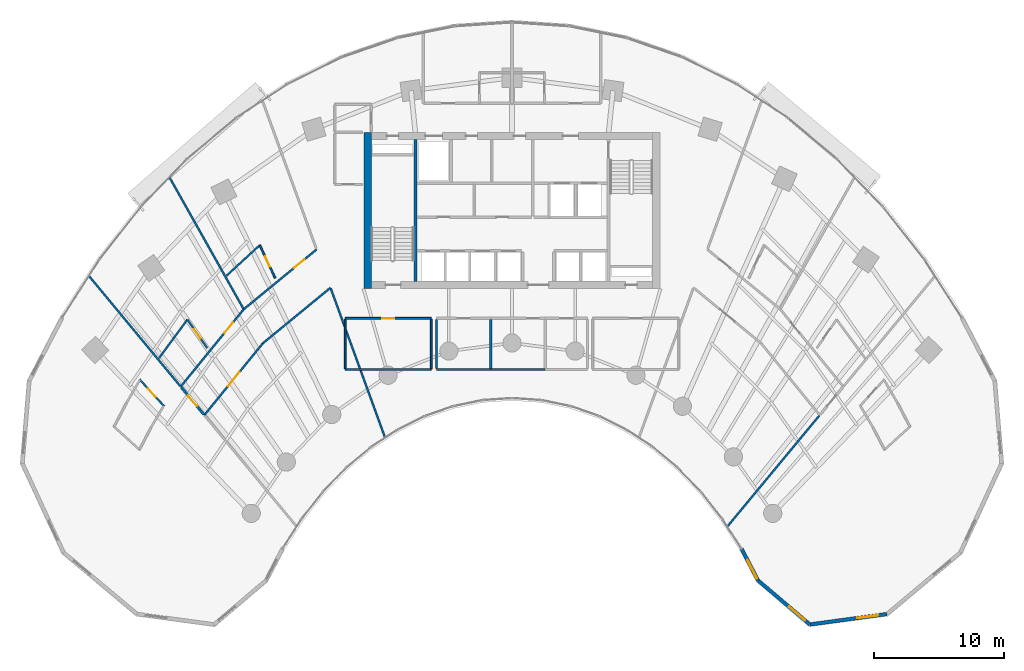
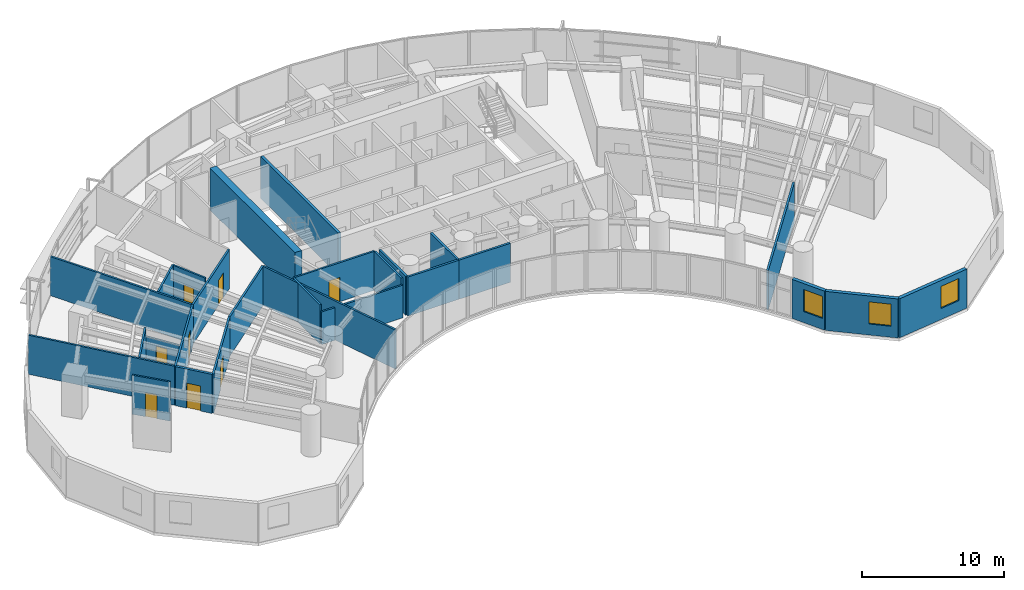
# One storey, part 11 of 17: 27 walls, 8 doors, 3 windows, 11 openings.
"""IFC4 building model written with IfcOpenShell, lengths in metres."""

from ifc_helpers import new_model, si_unit, direction, frame, frame_2d, origin, place, context, subcontext, project, spatial, rectangle, extrude, source, transform, mapped, material, layer, layer_set, type_object, type_shapes, element, fill, save


model = new_model("IFC4")

# Units and contexts
model_context = context("Model", 3, precision=1e-05, world=origin(), true_north=direction((0.0, 1.0)))
body_context = subcontext(model_context, "Body", "Model", "MODEL_VIEW")
ifc_project = project(units=[si_unit("LENGTHUNIT", "METRE"), si_unit("AREAUNIT", "SQUARE_METRE"), si_unit("VOLUMEUNIT", "CUBIC_METRE"), si_unit("PLANEANGLEUNIT", "RADIAN"), si_unit("MASSUNIT", "GRAM", prefix="KILO")], contexts=[model_context])

# Site, building, storey
site_placement = place(None, origin())
site = spatial("IfcSite", under=ifc_project, at=site_placement, CompositionType="ELEMENT")
building_placement = place(site_placement, origin())
building = spatial("IfcBuilding", under=site, at=building_placement, Name="Breltana Convention Tower", CompositionType="ELEMENT")
storey_placement = place(building_placement, frame((0.0, 0.0, 46.199951171875)))
storey = spatial("IfcBuildingStorey", under=building, at=storey_placement, Name="L09", CompositionType="ELEMENT", Elevation=46.199951171875)

# Walls
ifc_material_1 = material(Name="Concrete C60/75", Category="concrete")
ifc_layer_1 = layer(ifc_material_1, 0.550048828125, Name="Concrete C60/75")
ifc_layer_set_1 = layer_set([ifc_layer_1], Name="Concrete C60/75")
wall_type_1 = type_object("IfcWallType", Name="SW-CORE-550", PredefinedType="SHEAR", material=ifc_layer_set_1)
shared_shape_1 = source(origin(), body_context, "Body", "SweptSolid", [
    extrude(rectangle(XDim=12.0, YDim=0.550048828125, at=frame_2d((6.0, 0.0))), origin(), (0.0, 0.0, 1.0), 3.60009765625),
])
wall_1_placement = place(storey_placement, frame((36.925048828125, 60.199951171875, 0.0), z_axis=(0.0, 0.0, 1.0), x_axis=(0.0, 1.0, 0.0)))
element("IfcWall", 1, at=wall_1_placement, inside=storey, type_object=wall_type_1, Name="L09 West Core Shear Wall", PredefinedType="SHEAR", context=body_context, shape_type="MappedRepresentation", body=[
    mapped(shared_shape_1, transform((0.0, 0.0, 0.0), scale=1.0)),
])
ifc_material_2 = material(Name="Concrete C50/60", Category="concrete")
ifc_layer_2 = layer(ifc_material_2, 0.39990234375, Name="Concrete C50/60")
ifc_layer_set_2 = layer_set([ifc_layer_2], Name="Concrete C50/60")
wall_type_2 = type_object("IfcWallType", Name="SW-CORE-400", PredefinedType="SHEAR", material=ifc_layer_set_2)
shared_shape_2 = source(origin(), body_context, "Body", "SweptSolid", [
    extrude(rectangle(XDim=10.89990234375, YDim=0.219970703125, at=frame_2d((5.449951171875, 0.0))), origin(), (0.0, 0.0, 1.0), 3.60009765625),
])
wall_2_placement = place(storey_placement, frame((40.580078125, 60.75, 0.0), z_axis=(0.0, 0.0, 1.0), x_axis=(0.0, 1.0, 0.0)))
element("IfcWall", 2, at=wall_2_placement, inside=storey, type_object=wall_type_2, Name="L09 Core West Stair Spine Wall", PredefinedType="SHEAR", context=body_context, shape_type="MappedRepresentation", body=[
    mapped(shared_shape_2, transform((0.0, 0.0, 0.0), scale=1.0)),
])

# Wall, opening, window
ifc_material_3 = material(Name="Limestone Buff Insulated Wall", Category="masonry")
ifc_layer_3 = layer(ifc_material_3, 0.280029296875, Name="Limestone Buff Insulated Wall")
ifc_layer_set_3 = layer_set([ifc_layer_3], Name="Limestone Buff Insulated Wall")
wall_type_3 = type_object("IfcWallType", Name="WL-EXT-NOSE-280", PredefinedType="SOLIDWALL", material=ifc_layer_set_3)
shared_shape_3 = source(origin(), body_context, "Body", "SweptSolid", [
    extrude(rectangle(XDim=5.96728515625, YDim=0.280029296875, at=frame_2d((2.983642578125, 0.0))), origin(), (0.0, 0.0, 1.0), 3.360107421875),
])
wall_3_placement = place(storey_placement, frame((76.77734375, 35.226806640625, 0.0), z_axis=(0.0, 0.0, 1.0), x_axis=(-0.990927009341, -0.134401124099, 0.0)))
wall_3 = element("IfcWall", 3, at=wall_3_placement, inside=storey, type_object=wall_type_3, Name="L09 curved limestone nose wall E4", PredefinedType="SOLIDWALL", context=body_context, shape_type="MappedRepresentation", body=[
    mapped(shared_shape_3, transform((0.0, 0.0, 0.0), scale=1.0)),
])
opening_1_placement = place(wall_3_placement, frame((0.69189453125, 0.0, 0.949951171875)))
opening_1 = element("IfcOpeningElement", 4, at=opening_1_placement, cuts=wall_3, Name="Opening W-04", PredefinedType="OPENING", context=body_context, shape_type="SweptSolid", body=[
    extrude(rectangle(XDim=1.60009765625, YDim=1.89990234375, at=frame_2d((0.800048828125, 0.949951171875))), frame((0.0, 0.14990234375, 0.0), z_axis=(0.0, -1.0, 0.0), x_axis=(1.0, 0.0, 0.0)), (0.0, 0.0, 1.0), 0.300048828125),
])
ifc_material_4 = material(Name="Glass Low-E Insulated Window", Category="glass")
window_type = type_object("IfcWindowType", Name="WN-NOSE-1600X1900", PartitioningType="SINGLE_PANEL", PredefinedType="WINDOW", material=ifc_material_4)
shared_shape_4 = source(origin(), body_context, "Body", "SweptSolid", [
    extrude(rectangle(XDim=1.60009765625, YDim=1.89990234375, at=frame_2d((0.800048828125, 0.949951171875))), frame((0.0, 0.030029296875, 0.0), z_axis=(0.0, -1.0, 0.0), x_axis=(1.0, 0.0, 0.0)), (0.0, 0.0, 1.0), 0.06005859375),
])
type_shapes(window_type, [shared_shape_4])
window_1_placement = place(opening_1_placement, origin())
window_1 = element("IfcWindow", 5, at=window_1_placement, inside=storey, type_object=window_type, Name="L09 nose window E4", OverallHeight=1.89990234375, OverallWidth=1.60009765625, PartitioningType="SINGLE_PANEL", PredefinedType="WINDOW", context=body_context, shape_type="MappedRepresentation", body=[
    mapped(shared_shape_4, transform((0.0, 0.0, 0.0), scale=1.0)),
])
fill(opening_1, window_1)

shared_shape_5 = source(origin(), body_context, "Body", "SweptSolid", [
    extrude(rectangle(XDim=5.222412109375, YDim=0.280029296875, at=frame_2d((2.611328125, 0.0))), origin(), (0.0, 0.0, 1.0), 3.360107421875),
])
wall_4_placement = place(storey_placement, frame((70.8642578125, 34.4248046875, 0.0), z_axis=(0.0, 0.0, 1.0), x_axis=(-0.761900099546, 0.647694556339, 0.0)))
wall_4 = element("IfcWall", 6, at=wall_4_placement, inside=storey, type_object=wall_type_3, Name="L09 curved limestone nose wall E5", PredefinedType="SOLIDWALL", context=body_context, shape_type="MappedRepresentation", body=[
    mapped(shared_shape_5, transform((0.0, 0.0, 0.0), scale=1.0)),
])
opening_2_placement = place(wall_4_placement, frame((0.505615234375, 0.0, 0.949951171875)))
opening_2 = element("IfcOpeningElement", 7, at=opening_2_placement, cuts=wall_4, Name="Opening W-04", PredefinedType="OPENING", context=body_context, shape_type="SweptSolid", body=[
    extrude(rectangle(XDim=1.60009765625, YDim=1.89990234375, at=frame_2d((0.800048828125, 0.949951171875))), frame((0.0, 0.14990234375, 0.0), z_axis=(0.0, -1.0, 0.0), x_axis=(1.0, 0.0, 0.0)), (0.0, 0.0, 1.0), 0.300048828125),
])
window_2_placement = place(opening_2_placement, origin())
window_2 = element("IfcWindow", 8, at=window_2_placement, inside=storey, type_object=window_type, Name="L09 nose window E5", OverallHeight=1.89990234375, OverallWidth=1.60009765625, PartitioningType="SINGLE_PANEL", PredefinedType="WINDOW", context=body_context, shape_type="MappedRepresentation", body=[
    mapped(shared_shape_4, transform((0.0, 0.0, 0.0), scale=1.0)),
])
fill(opening_2, window_2)

shared_shape_6 = source(origin(), body_context, "Body", "SweptSolid", [
    extrude(rectangle(XDim=2.7353515625, YDim=0.280029296875, at=frame_2d((1.36767578125, 0.0))), origin(), (0.0, 0.0, 1.0), 3.360107421875),
])
wall_5_placement = place(storey_placement, frame((66.88525390625, 37.807373046875, 0.0), z_axis=(0.0, 0.0, 1.0), x_axis=(-0.46179107292, 0.886988728774, 0.0)))
wall_5 = element("IfcWall", 9, at=wall_5_placement, inside=storey, type_object=wall_type_3, Name="L09 curved limestone nose wall E6", PredefinedType="SOLIDWALL", context=body_context, shape_type="MappedRepresentation", body=[
    mapped(shared_shape_6, transform((0.0, 0.0, 0.0), scale=1.0)),
])
opening_3_placement = place(wall_5_placement, frame((0.159912109375, 0.0, 0.949951171875)))
opening_3 = element("IfcOpeningElement", 10, at=opening_3_placement, cuts=wall_5, Name="Opening W-04", PredefinedType="OPENING", context=body_context, shape_type="SweptSolid", body=[
    extrude(rectangle(XDim=1.60009765625, YDim=1.89990234375, at=frame_2d((0.800048828125, 0.949951171875))), frame((0.0, 0.14990234375, 0.0), z_axis=(0.0, -1.0, 0.0), x_axis=(1.0, 0.0, 0.0)), (0.0, 0.0, 1.0), 0.300048828125),
])
window_3_placement = place(opening_3_placement, origin())
window_3 = element("IfcWindow", 11, at=window_3_placement, inside=storey, type_object=window_type, Name="L09 nose window E6", OverallHeight=1.89990234375, OverallWidth=1.60009765625, PartitioningType="SINGLE_PANEL", PredefinedType="WINDOW", context=body_context, shape_type="MappedRepresentation", body=[
    mapped(shared_shape_4, transform((0.0, 0.0, 0.0), scale=1.0)),
])
fill(opening_3, window_3)

# Wall
ifc_material_5 = material(Name="Gypsum Acoustic Drywall Partition")
ifc_layer_4 = layer(ifc_material_5, 0.14990234375, Name="Gypsum Acoustic Drywall Partition")
ifc_layer_set_4 = layer_set([ifc_layer_4], Name="Gypsum Acoustic Drywall Partition")
wall_type_4 = type_object("IfcWallType", Name="WL-PART-150", PredefinedType="PARTITIONING", material=ifc_layer_set_4)
shared_shape_7 = source(origin(), body_context, "Body", "SweptSolid", [
    extrude(rectangle(XDim=6.60009765625, YDim=0.14990234375, at=frame_2d((3.300048828125, 0.0))), origin(), (0.0, 0.0, 1.0), 2.802978515625),
])
wall_6_placement = place(storey_placement, frame((35.199951171875, 54.0, 0.0), z_axis=(0.0, 0.0, 1.0), x_axis=(1.0, 0.0, 0.0)))
element("IfcWall", 12, at=wall_6_placement, inside=storey, type_object=wall_type_4, Name="L09 interior partition W-L09-HSK-S", PredefinedType="PARTITIONING", context=body_context, shape_type="MappedRepresentation", body=[
    mapped(shared_shape_7, transform((0.0, 0.0, 0.0), scale=1.0)),
])

# Wall, opening, door
shared_shape_8 = source(origin(), body_context, "Body", "SweptSolid", [
    extrude(rectangle(XDim=6.60009765625, YDim=0.14990234375, at=frame_2d((3.300048828125, 0.0))), origin(), (0.0, 0.0, 1.0), 3.360107421875),
])
wall_7_placement = place(storey_placement, frame((35.199951171875, 57.919921875, 0.0), z_axis=(0.0, 0.0, 1.0), x_axis=(1.0, 0.0, 0.0)))
wall_7 = element("IfcWall", 13, at=wall_7_placement, inside=storey, type_object=wall_type_4, Name="L09 interior partition W-L09-HSK-N", PredefinedType="PARTITIONING", context=body_context, shape_type="MappedRepresentation", body=[
    mapped(shared_shape_8, transform((0.0, 0.0, 0.0), scale=1.0)),
])
opening_4_placement = place(wall_7_placement, frame((2.85009765625, 0.0, 0.0)))
opening_4 = element("IfcOpeningElement", 14, at=opening_4_placement, cuts=wall_7, Name="Opening D-18", PredefinedType="OPENING", context=body_context, shape_type="SweptSolid", body=[
    extrude(rectangle(XDim=0.89990234375, YDim=2.10009765625, at=frame_2d((0.449951171875, 1.050048828125))), frame((0.0, 0.0849609375, 0.0), z_axis=(0.0, -1.0, 0.0), x_axis=(1.0, 0.0, 0.0)), (0.0, 0.0, 1.0), 0.169921875),
])
ifc_material_6 = material(Name="Steel Riser Fire Door", Category="steel")
door_type_1 = type_object("IfcDoorType", Name="DR-FD60-900", OperationType="NOTDEFINED", PredefinedType="DOOR", material=ifc_material_6)
shared_shape_9 = source(origin(), body_context, "Body", "SweptSolid", [
    extrude(rectangle(XDim=0.89990234375, YDim=2.10009765625, at=frame_2d((0.449951171875, 1.050048828125))), frame((0.0, 0.02490234375, 0.0), z_axis=(0.0, -1.0, 0.0), x_axis=(1.0, 0.0, 0.0)), (0.0, 0.0, 1.0), 0.050048828125),
])
type_shapes(door_type_1, [shared_shape_9])
door_1_placement = place(opening_4_placement, origin())
door_1 = element("IfcDoor", 15, at=door_1_placement, inside=storey, type_object=door_type_1, Name="L09 interior door D-L09-HSK", OperationType="SINGLE_SWING_LEFT", OverallHeight=2.10009765625, OverallWidth=0.89990234375, PredefinedType="DOOR", context=body_context, shape_type="MappedRepresentation", body=[
    mapped(shared_shape_9, transform((0.0, 0.0, 0.0), scale=1.0)),
])
fill(opening_4, door_1)

# Walls
shared_shape_10 = source(origin(), body_context, "Body", "SweptSolid", [
    extrude(rectangle(XDim=3.78515625, YDim=0.14990234375, at=frame_2d((1.892578125, 0.0))), origin(), (0.0, 0.0, 1.0), 3.360107421875),
])
for number, where, z_axis, x_axis, name in (
    (16, (35.199951171875, 54.0673828125, 0.0), (0.0, 0.0, 1.0), (0.0, 1.0, 0.0), "L09 interior partition W-L09-HSK-W"),
    (17, (41.800048828125, 54.0673828125, 0.0), (0.0, 0.0, 1.0), (0.0, 1.0, 0.0), "L09 interior partition W-L09-HSK-E"),
):
    element("IfcWall", number, at=place(storey_placement, frame(where, z_axis=z_axis, x_axis=x_axis)), inside=storey, type_object=wall_type_4, Name=name, PredefinedType="PARTITIONING", context=body_context, shape_type="MappedRepresentation", body=[
        mapped(shared_shape_10, transform((0.0, 0.0, 0.0), scale=1.0)),
    ])

# Wall, opening, door
ifc_material_7 = material(Name="Gypsum Acoustic Hotel Wall")
ifc_layer_5 = layer(ifc_material_7, 0.195068359375, Name="Gypsum Acoustic Hotel Wall")
ifc_layer_set_5 = layer_set([ifc_layer_5], Name="Gypsum Acoustic Hotel Wall")
wall_type_5 = type_object("IfcWallType", Name="WL-HOTEL-200", PredefinedType="PARTITIONING", material=ifc_layer_set_5)
shared_shape_11 = source(origin(), body_context, "Body", "SweptSolid", [
    extrude(rectangle(XDim=2.748291015625, YDim=0.195068359375, at=frame_2d((1.3740234375, 0.0))), origin(), (0.0, 0.0, 1.0), 3.360107421875),
])
wall_8_placement = place(storey_placement, frame((24.35302734375, 50.531005859375, 0.0), z_axis=(0.0, 0.0, 1.0), x_axis=(-0.638111168284, 0.769944242729, 0.0)))
wall_8 = element("IfcWall", 18, at=wall_8_placement, inside=storey, type_object=wall_type_5, Name="L09 interior partition W-L09-CS-W-END", PredefinedType="PARTITIONING", context=body_context, shape_type="MappedRepresentation", body=[
    mapped(shared_shape_11, transform((0.0, 0.0, 0.0), scale=1.0)),
])
opening_5_placement = place(wall_8_placement, frame((0.84912109375, 0.0, 0.0)))
opening_5 = element("IfcOpeningElement", 19, at=opening_5_placement, cuts=wall_8, Name="Opening D-13", PredefinedType="OPENING", context=body_context, shape_type="SweptSolid", body=[
    extrude(rectangle(XDim=1.050048828125, YDim=2.14990234375, at=frame_2d((0.52490234375, 1.074951171875))), frame((0.0, 0.107421875, 0.0), z_axis=(0.0, -1.0, 0.0), x_axis=(1.0, 0.0, 0.0)), (0.0, 0.0, 1.0), 0.215087890625),
])
ifc_material_8 = material(Name="Timber Solid-Core Fire Door", Category="wood")
door_type_2 = type_object("IfcDoorType", Name="DR-FD60-1050", OperationType="NOTDEFINED", PredefinedType="DOOR", material=ifc_material_8)
shared_shape_12 = source(origin(), body_context, "Body", "SweptSolid", [
    extrude(rectangle(XDim=1.050048828125, YDim=2.14990234375, at=frame_2d((0.52490234375, 1.074951171875))), frame((0.0, 0.02490234375, 0.0), z_axis=(0.0, -1.0, 0.0), x_axis=(1.0, 0.0, 0.0)), (0.0, 0.0, 1.0), 0.050048828125),
])
type_shapes(door_type_2, [shared_shape_12])
door_2_placement = place(opening_5_placement, origin())
door_2 = element("IfcDoor", 20, at=door_2_placement, inside=storey, type_object=door_type_2, Name="L09 interior door D-L09-CS-W", OperationType="SINGLE_SWING_RIGHT", OverallHeight=2.14990234375, OverallWidth=1.050048828125, PredefinedType="DOOR", context=body_context, shape_type="MappedRepresentation", body=[
    mapped(shared_shape_12, transform((0.0, 0.0, 0.0), scale=1.0)),
])
fill(opening_5, door_2)

ifc_material_9 = material(Name="Moisture-Resistant En-Suite Partition")
ifc_layer_6 = layer(ifc_material_9, 0.139892578125, Name="Moisture-Resistant En-Suite Partition")
ifc_layer_set_6 = layer_set([ifc_layer_6], Name="Moisture-Resistant En-Suite Partition")
wall_type_6 = type_object("IfcWallType", Name="WL-WET-150", PredefinedType="PARTITIONING", material=ifc_layer_set_6)
shared_shape_13 = source(origin(), body_context, "Body", "SweptSolid", [
    extrude(rectangle(XDim=2.812255859375, YDim=0.139892578125, at=frame_2d((1.40625, 0.0))), origin(), (0.0, 0.0, 1.0), 3.360107421875),
])
wall_9_placement = place(storey_placement, frame((21.30322265625, 51.176513671875, 0.0), z_axis=(0.0, 0.0, 1.0), x_axis=(-0.675119025852, 0.737708818527, 0.0)))
wall_9 = element("IfcWall", 21, at=wall_9_placement, inside=storey, type_object=wall_type_6, Name="L09 interior partition W-L09-CSENS-W-W", PredefinedType="PARTITIONING", context=body_context, shape_type="MappedRepresentation", body=[
    mapped(shared_shape_13, transform((0.0, 0.0, 0.0), scale=1.0)),
])
opening_6_placement = place(wall_9_placement, frame((0.981201171875, 0.0, 0.0)))
opening_6 = element("IfcOpeningElement", 22, at=opening_6_placement, cuts=wall_9, Name="Opening D-21", PredefinedType="OPENING", context=body_context, shape_type="SweptSolid", body=[
    extrude(rectangle(XDim=0.85009765625, YDim=2.050048828125, at=frame_2d((0.425048828125, 1.02490234375))), frame((0.0, 0.080078125, 0.0), z_axis=(0.0, -1.0, 0.0), x_axis=(1.0, 0.0, 0.0)), (0.0, 0.0, 1.0), 0.159912109375),
])
ifc_material_10 = material(Name="Timber Moisture-Resistant En-Suite Door", Category="wood")
door_type_3 = type_object("IfcDoorType", Name="DR-WET-850", OperationType="NOTDEFINED", PredefinedType="DOOR", material=ifc_material_10)
shared_shape_14 = source(origin(), body_context, "Body", "SweptSolid", [
    extrude(rectangle(XDim=0.85009765625, YDim=2.050048828125, at=frame_2d((0.425048828125, 1.02490234375))), frame((0.0, 0.02490234375, 0.0), z_axis=(0.0, -1.0, 0.0), x_axis=(1.0, 0.0, 0.0)), (0.0, 0.0, 1.0), 0.050048828125),
])
type_shapes(door_type_3, [shared_shape_14])
door_3_placement = place(opening_6_placement, origin())
door_3 = element("IfcDoor", 23, at=door_3_placement, inside=storey, type_object=door_type_3, Name="L09 interior door D-L09-CSENS-W", OperationType="SINGLE_SWING_LEFT", OverallHeight=2.050048828125, OverallWidth=0.85009765625, PredefinedType="DOOR", context=body_context, shape_type="MappedRepresentation", body=[
    mapped(shared_shape_14, transform((0.0, 0.0, 0.0), scale=1.0)),
])
fill(opening_6, door_3)

# Walls
ifc_material_11 = material(Name="Cement Board Wet-Area Partition")
ifc_layer_7 = layer(ifc_material_11, 0.175048828125, Name="Cement Board Wet-Area Partition")
ifc_layer_set_7 = layer_set([ifc_layer_7], Name="Cement Board Wet-Area Partition")
wall_type_7 = type_object("IfcWallType", Name="WL-WET-175", PredefinedType="PARTITIONING", material=ifc_layer_set_7)
shared_shape_15 = source(origin(), body_context, "Body", "SweptSolid", [
    extrude(rectangle(XDim=4.176025390625, YDim=0.175048828125, at=frame_2d((2.087890625, 0.0))), origin(), (0.0, 0.0, 1.0), 3.360107421875),
])
for number, where, z_axis, x_axis, name in (
    (24, (42.199951171875, 54.0, 0.0), (0.0, 0.0, 1.0), (1.0, 0.0, 0.0), "L09 interior partition W-L09-WCM-S"),
    (25, (46.3759765625, 54.0, 0.0), (0.0, 0.0, 1.0), (1.0, 0.0, 0.0), "L09 interior partition W-L09-WCF-S"),
):
    element("IfcWall", number, at=place(storey_placement, frame(where, z_axis=z_axis, x_axis=x_axis)), inside=storey, type_object=wall_type_7, Name=name, PredefinedType="PARTITIONING", context=body_context, shape_type="MappedRepresentation", body=[
        mapped(shared_shape_15, transform((0.0, 0.0, 0.0), scale=1.0)),
    ])
shared_shape_16 = source(origin(), body_context, "Body", "SweptSolid", [
    extrude(rectangle(XDim=3.7626953125, YDim=0.175048828125, at=frame_2d((1.88134765625, 0.0))), origin(), (0.0, 0.0, 1.0), 3.360107421875),
])
for number, where, z_axis, x_axis, name in (
    (26, (42.199951171875, 54.07861328125, 0.0), (0.0, 0.0, 1.0), (0.0, 1.0, 0.0), "L09 interior partition W-L09-WCM-W"),
    (27, (46.3759765625, 54.07861328125, 0.0), (0.0, 0.0, 1.0), (0.0, 1.0, 0.0), "L09 interior partition W-L09-WCM-E"),
):
    element("IfcWall", number, at=place(storey_placement, frame(where, z_axis=z_axis, x_axis=x_axis)), inside=storey, type_object=wall_type_7, Name=name, PredefinedType="PARTITIONING", context=body_context, shape_type="MappedRepresentation", body=[
        mapped(shared_shape_16, transform((0.0, 0.0, 0.0), scale=1.0)),
    ])

# Wall, opening, door
shared_shape_17 = source(origin(), body_context, "Body", "SweptSolid", [
    extrude(rectangle(XDim=7.65869140625, YDim=0.14990234375, at=frame_2d((3.829345703125, 0.0))), origin(), (0.0, 0.0, 1.0), 3.360107421875),
])
wall_10_placement = place(storey_placement, frame((22.569580078125, 52.682861328125, 0.0), z_axis=(0.0, 0.0, 1.0), x_axis=(0.631489868862, 0.775384127723, 0.0)))
wall_10 = element("IfcWall", 28, at=wall_10_placement, inside=storey, type_object=wall_type_4, Name="L09 interior partition W-L09-HS01-COR", PredefinedType="PARTITIONING", context=body_context, shape_type="MappedRepresentation", body=[
    mapped(shared_shape_17, transform((0.0, 0.0, 0.0), scale=1.0)),
])
opening_7_placement = place(wall_10_placement, frame((5.29541015625, 0.0, 0.0)))
opening_7 = element("IfcOpeningElement", 29, at=opening_7_placement, cuts=wall_10, Name="Opening D-13", PredefinedType="OPENING", context=body_context, shape_type="SweptSolid", body=[
    extrude(rectangle(XDim=1.050048828125, YDim=2.14990234375, at=frame_2d((0.52490234375, 1.074951171875))), frame((0.0, 0.0849609375, 0.0), z_axis=(0.0, -1.0, 0.0), x_axis=(1.0, 0.0, 0.0)), (0.0, 0.0, 1.0), 0.169921875),
])
door_4_placement = place(opening_7_placement, origin())
door_4 = element("IfcDoor", 30, at=door_4_placement, inside=storey, type_object=door_type_2, Name="L09 interior door D-L09-HS01", OperationType="SINGLE_SWING_RIGHT", OverallHeight=2.14990234375, OverallWidth=1.050048828125, PredefinedType="DOOR", context=body_context, shape_type="MappedRepresentation", body=[
    mapped(shared_shape_12, transform((0.0, 0.0, 0.0), scale=1.0)),
])
fill(opening_7, door_4)

# Walls
shared_shape_18 = source(origin(), body_context, "Body", "SweptSolid", [
    extrude(rectangle(XDim=10.974609375, YDim=0.14990234375, at=frame_2d((5.4873046875, 0.0))), origin(), (0.0, 0.0, 1.0), 3.360107421875),
])
wall_11_placement = place(storey_placement, frame((22.539794921875, 52.71875, 0.0), z_axis=(0.0, 0.0, 1.0), x_axis=(-0.638125265812, 0.769932558821, 0.0)))
element("IfcWall", 31, at=wall_11_placement, inside=storey, type_object=wall_type_4, Name="L09 interior partition W-L09-HS01-RA", PredefinedType="PARTITIONING", context=body_context, shape_type="MappedRepresentation", body=[
    mapped(shared_shape_18, transform((0.0, 0.0, 0.0), scale=1.0)),
])
shared_shape_19 = source(origin(), body_context, "Body", "SweptSolid", [
    extrude(rectangle(XDim=11.572509765625, YDim=0.14990234375, at=frame_2d((5.7861328125, 0.0))), origin(), (0.0, 0.0, 1.0), 3.360107421875),
])
wall_12_placement = place(storey_placement, frame((27.3818359375, 58.6640625, 0.0), z_axis=(0.0, 0.0, 1.0), x_axis=(-0.490161073951, 0.871631872744, 0.0)))
element("IfcWall", 32, at=wall_12_placement, inside=storey, type_object=wall_type_4, Name="L09 interior partition W-L09-HS01-RB", PredefinedType="PARTITIONING", context=body_context, shape_type="MappedRepresentation", body=[
    mapped(shared_shape_19, transform((0.0, 0.0, 0.0), scale=1.0)),
])
shared_shape_20 = source(origin(), body_context, "Body", "SweptSolid", [
    extrude(rectangle(XDim=3.656494140625, YDim=0.139892578125, at=frame_2d((1.828125, 0.0))), origin(), (0.0, 0.0, 1.0), 3.360107421875),
])
wall_13_placement = place(storey_placement, frame((20.9150390625, 54.88623046875, 0.0), z_axis=(0.0, 0.0, 1.0), x_axis=(0.592700141555, 0.805423206892, 0.0)))
element("IfcWall", 33, at=wall_13_placement, inside=storey, type_object=wall_type_6, Name="L09 interior partition W-L09-HS01E-BK", PredefinedType="PARTITIONING", context=body_context, shape_type="MappedRepresentation", body=[
    mapped(shared_shape_20, transform((0.0, 0.0, 0.0), scale=1.0)),
])

# Wall, opening, door
shared_shape_21 = source(origin(), body_context, "Body", "SweptSolid", [
    extrude(rectangle(XDim=2.662841796875, YDim=0.139892578125, at=frame_2d((1.33154296875, 0.0))), origin(), (0.0, 0.0, 1.0), 2.64404296875),
])
wall_14_placement = place(storey_placement, frame((24.6025390625, 55.64501953125, 0.0), z_axis=(0.0, 0.0, 1.0), x_axis=(-0.570905989724, 0.821015438891, 0.0)))
wall_14 = element("IfcWall", 34, at=wall_14_placement, inside=storey, type_object=wall_type_6, Name="L09 interior partition W-L09-HS01E-SD", PredefinedType="PARTITIONING", context=body_context, shape_type="MappedRepresentation", body=[
    mapped(shared_shape_21, transform((0.0, 0.0, 0.0), scale=1.0)),
])
opening_8_placement = place(wall_14_placement, frame((0.906494140625, 0.0, 0.0)))
opening_8 = element("IfcOpeningElement", 35, at=opening_8_placement, cuts=wall_14, Name="Opening D-21", PredefinedType="OPENING", context=body_context, shape_type="SweptSolid", body=[
    extrude(rectangle(XDim=0.85009765625, YDim=2.050048828125, at=frame_2d((0.425048828125, 1.02490234375))), frame((0.0, 0.080078125, 0.0), z_axis=(0.0, -1.0, 0.0), x_axis=(1.0, 0.0, 0.0)), (0.0, 0.0, 1.0), 0.159912109375),
])
door_5_placement = place(opening_8_placement, origin())
door_5 = element("IfcDoor", 36, at=door_5_placement, inside=storey, type_object=door_type_3, Name="L09 interior door D-L09-HS01E", OperationType="SINGLE_SWING_LEFT", OverallHeight=2.050048828125, OverallWidth=0.85009765625, PredefinedType="DOOR", context=body_context, shape_type="MappedRepresentation", body=[
    mapped(shared_shape_14, transform((0.0, 0.0, 0.0), scale=1.0)),
])
fill(opening_8, door_5)

shared_shape_22 = source(origin(), body_context, "Body", "SweptSolid", [
    extrude(rectangle(XDim=7.23681640625, YDim=0.14990234375, at=frame_2d((3.618408203125, 0.0))), origin(), (0.0, 0.0, 1.0), 3.360107421875),
])
wall_15_placement = place(storey_placement, frame((27.406005859375, 58.621337890625, 0.0), z_axis=(0.0, 0.0, 1.0), x_axis=(0.772813707793, 0.634632943557, 0.0)))
wall_15 = element("IfcWall", 37, at=wall_15_placement, inside=storey, type_object=wall_type_4, Name="L09 interior partition W-L09-HS02-COR", PredefinedType="PARTITIONING", context=body_context, shape_type="MappedRepresentation", body=[
    mapped(shared_shape_22, transform((0.0, 0.0, 0.0), scale=1.0)),
])
opening_9_placement = place(wall_15_placement, frame((4.97509765625, 0.0, 0.0)))
opening_9 = element("IfcOpeningElement", 38, at=opening_9_placement, cuts=wall_15, Name="Opening D-13", PredefinedType="OPENING", context=body_context, shape_type="SweptSolid", body=[
    extrude(rectangle(XDim=1.050048828125, YDim=2.14990234375, at=frame_2d((0.52490234375, 1.074951171875))), frame((0.0, 0.0849609375, 0.0), z_axis=(0.0, -1.0, 0.0), x_axis=(1.0, 0.0, 0.0)), (0.0, 0.0, 1.0), 0.169921875),
])
door_6_placement = place(opening_9_placement, origin())
door_6 = element("IfcDoor", 39, at=door_6_placement, inside=storey, type_object=door_type_2, Name="L09 interior door D-L09-HS02", OperationType="SINGLE_SWING_RIGHT", OverallHeight=2.14990234375, OverallWidth=1.050048828125, PredefinedType="DOOR", context=body_context, shape_type="MappedRepresentation", body=[
    mapped(shared_shape_12, transform((0.0, 0.0, 0.0), scale=1.0)),
])
fill(opening_9, door_6)

# Wall
shared_shape_23 = source(origin(), body_context, "Body", "SweptSolid", [
    extrude(rectangle(XDim=3.456298828125, YDim=0.139892578125, at=frame_2d((1.72802734375, 0.0))), origin(), (0.0, 0.0, 1.0), 3.360107421875),
])
wall_16_placement = place(storey_placement, frame((26.095458984375, 61.207275390625, 0.0), z_axis=(0.0, 0.0, 1.0), x_axis=(0.736860870293, 0.676044420013, 0.0)))
element("IfcWall", 40, at=wall_16_placement, inside=storey, type_object=wall_type_6, Name="L09 interior partition W-L09-HS02E-BK", PredefinedType="PARTITIONING", context=body_context, shape_type="MappedRepresentation", body=[
    mapped(shared_shape_23, transform((0.0, 0.0, 0.0), scale=1.0)),
])

# Wall, opening, door
shared_shape_24 = source(origin(), body_context, "Body", "SweptSolid", [
    extrude(rectangle(XDim=2.796142578125, YDim=0.139892578125, at=frame_2d((1.39794921875, 0.0))), origin(), (0.0, 0.0, 1.0), 3.360107421875),
])
wall_17_placement = place(storey_placement, frame((29.8232421875, 61.00927734375, 0.0), z_axis=(0.0, 0.0, 1.0), x_axis=(-0.422316594955, 0.906448395456, 0.0)))
wall_17 = element("IfcWall", 41, at=wall_17_placement, inside=storey, type_object=wall_type_6, Name="L09 interior partition W-L09-HS02E-SD", PredefinedType="PARTITIONING", context=body_context, shape_type="MappedRepresentation", body=[
    mapped(shared_shape_24, transform((0.0, 0.0, 0.0), scale=1.0)),
])
opening_10_placement = place(wall_17_placement, frame((0.97314453125, 0.0, 0.0)))
opening_10 = element("IfcOpeningElement", 42, at=opening_10_placement, cuts=wall_17, Name="Opening D-21", PredefinedType="OPENING", context=body_context, shape_type="SweptSolid", body=[
    extrude(rectangle(XDim=0.85009765625, YDim=2.050048828125, at=frame_2d((0.425048828125, 1.02490234375))), frame((0.0, 0.080078125, 0.0), z_axis=(0.0, -1.0, 0.0), x_axis=(1.0, 0.0, 0.0)), (0.0, 0.0, 1.0), 0.159912109375),
])
door_7_placement = place(opening_10_placement, origin())
door_7 = element("IfcDoor", 43, at=door_7_placement, inside=storey, type_object=door_type_3, Name="L09 interior door D-L09-HS02E", OperationType="SINGLE_SWING_LEFT", OverallHeight=2.050048828125, OverallWidth=0.85009765625, PredefinedType="DOOR", context=body_context, shape_type="MappedRepresentation", body=[
    mapped(shared_shape_14, transform((0.0, 0.0, 0.0), scale=1.0)),
])
fill(opening_10, door_7)

shared_shape_25 = source(origin(), body_context, "Body", "SweptSolid", [
    extrude(rectangle(XDim=7.112548828125, YDim=0.14990234375, at=frame_2d((3.55615234375, 0.0))), origin(), (0.0, 0.0, 1.0), 3.360107421875),
])
wall_18_placement = place(storey_placement, frame((24.3828125, 50.4951171875, 0.0), z_axis=(0.0, 0.0, 1.0), x_axis=(0.63149032532, 0.775383755974, 0.0)))
wall_18 = element("IfcWall", 44, at=wall_18_placement, inside=storey, type_object=wall_type_4, Name="L09 interior partition W-L09-HCF1-COR1", PredefinedType="PARTITIONING", context=body_context, shape_type="MappedRepresentation", body=[
    mapped(shared_shape_25, transform((0.0, 0.0, 0.0), scale=1.0)),
])
opening_11_placement = place(wall_18_placement, frame((2.856201171875, 0.0, 0.0)))
opening_11 = element("IfcOpeningElement", 45, at=opening_11_placement, cuts=wall_18, Name="Opening D-05", PredefinedType="OPENING", context=body_context, shape_type="SweptSolid", body=[
    extrude(rectangle(XDim=1.39990234375, YDim=2.14990234375, at=frame_2d((0.699951171875, 1.074951171875))), frame((0.0, 0.0849609375, 0.0), z_axis=(0.0, -1.0, 0.0), x_axis=(1.0, 0.0, 0.0)), (0.0, 0.0, 1.0), 0.169921875),
])
ifc_material_12 = material(Name="Timber Veneer Glazed Double Door", Category="wood")
door_type_4 = type_object("IfcDoorType", Name="DR-DBL-1400", OperationType="DOUBLE_DOOR_SINGLE_SWING", PredefinedType="DOOR", material=ifc_material_12)
shared_shape_26 = source(origin(), body_context, "Body", "SweptSolid", [
    extrude(rectangle(XDim=1.39990234375, YDim=2.14990234375, at=frame_2d((0.699951171875, 1.074951171875))), frame((0.0, 0.02490234375, 0.0), z_axis=(0.0, -1.0, 0.0), x_axis=(1.0, 0.0, 0.0)), (0.0, 0.0, 1.0), 0.050048828125),
])
type_shapes(door_type_4, [shared_shape_26])
door_8_placement = place(opening_11_placement, origin())
door_8 = element("IfcDoor", 46, at=door_8_placement, inside=storey, type_object=door_type_4, Name="L09 interior door D-L09-HCF1", OperationType="SINGLE_SWING_RIGHT", OverallHeight=2.14990234375, OverallWidth=1.39990234375, PredefinedType="DOOR", context=body_context, shape_type="MappedRepresentation", body=[
    mapped(shared_shape_26, transform((0.0, 0.0, 0.0), scale=1.0)),
])
fill(opening_11, door_8)

# Walls
shared_shape_27 = source(origin(), body_context, "Body", "SweptSolid", [
    extrude(rectangle(XDim=6.72119140625, YDim=0.14990234375, at=frame_2d((3.360595703125, 0.0))), origin(), (0.0, 0.0, 1.0), 3.360107421875),
])
wall_19_placement = place(storey_placement, frame((28.874267578125, 56.010009765625, 0.0), z_axis=(0.0, 0.0, 1.0), x_axis=(0.772828051199, 0.63461547671, 0.0)))
element("IfcWall", 47, at=wall_19_placement, inside=storey, type_object=wall_type_4, Name="L09 interior partition W-L09-HCF1-COR2", PredefinedType="PARTITIONING", context=body_context, shape_type="MappedRepresentation", body=[
    mapped(shared_shape_27, transform((0.0, 0.0, 0.0), scale=1.0)),
])
shared_shape_28 = source(origin(), body_context, "Body", "SweptSolid", [
    extrude(rectangle(XDim=12.1962890625, YDim=0.14990234375, at=frame_2d((6.09814453125, 0.0))), origin(), (0.0, 0.0, 1.0), 3.360107421875),
])
wall_20_placement = place(storey_placement, frame((38.257568359375, 48.766357421875, 0.0), z_axis=(0.0, 0.0, 1.0), x_axis=(-0.342022711534, 0.939691686031, 0.0)))
element("IfcWall", 48, at=wall_20_placement, inside=storey, type_object=wall_type_4, Name="L09 interior partition W-L09-HCF1-RB", PredefinedType="PARTITIONING", context=body_context, shape_type="MappedRepresentation", body=[
    mapped(shared_shape_28, transform((0.0, 0.0, 0.0), scale=1.0)),
])
shared_shape_29 = source(origin(), body_context, "Body", "SweptSolid", [
    extrude(rectangle(XDim=11.05322265625, YDim=0.14990234375, at=frame_2d((5.526611328125, 0.0))), origin(), (0.0, 0.0, 1.0), 3.360107421875),
])
wall_21_placement = place(storey_placement, frame((64.533935546875, 41.948974609375, 0.0), z_axis=(0.0, 0.0, 1.0), x_axis=(0.638131235571, 0.769927611005, 0.0)))
element("IfcWall", 49, at=wall_21_placement, inside=storey, type_object=wall_type_4, Name="L09 interior partition W-L09-HCF2-RB", PredefinedType="PARTITIONING", context=body_context, shape_type="MappedRepresentation", body=[
    mapped(shared_shape_29, transform((0.0, 0.0, 0.0), scale=1.0)),
])

save(model, "model.ifc")
